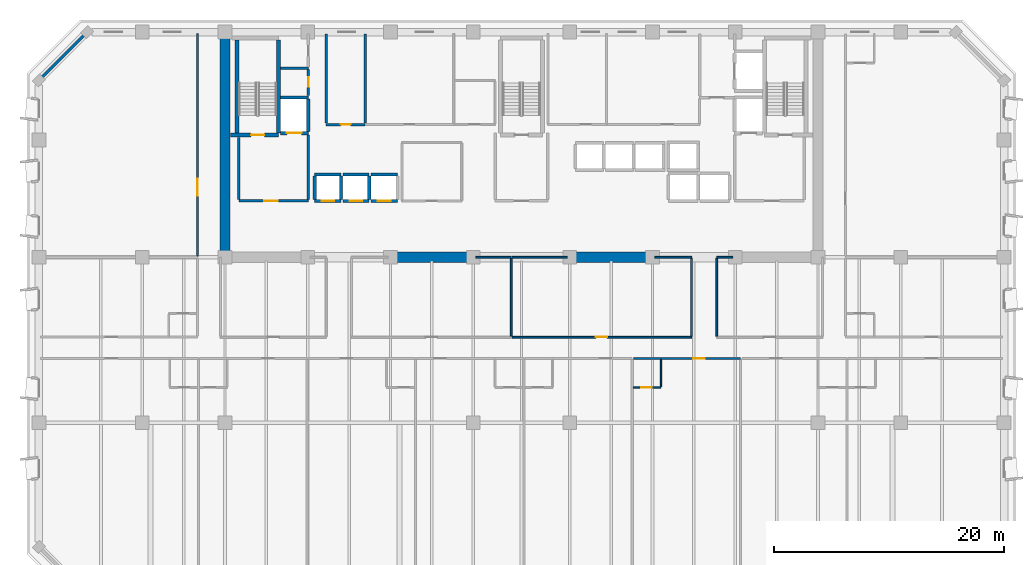
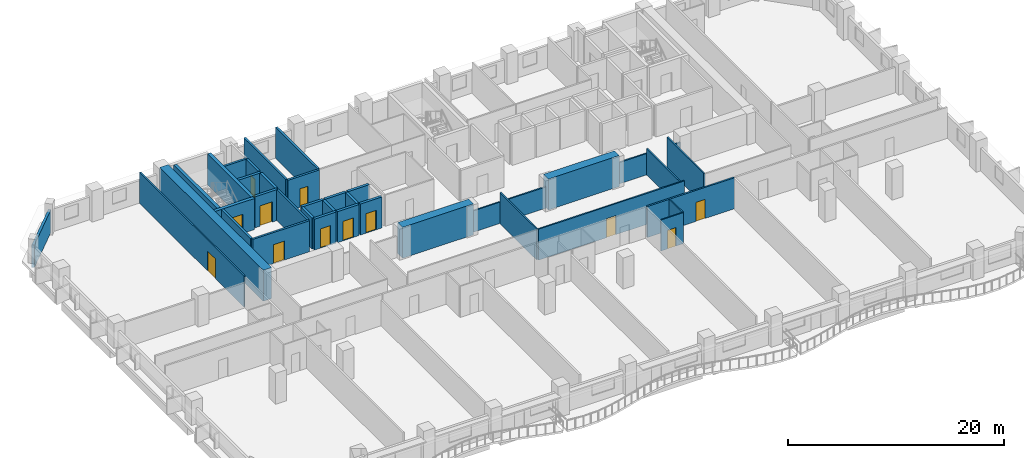
# One storey, part 6 of 14: 39 walls, 12 doors, 12 openings.
"""IFC4 building model written with IfcOpenShell, lengths in metres."""

from ifc_helpers import new_model, si_unit, direction, frame, frame_2d, origin, place, context, subcontext, project, spatial, rectangle, extrude, material, layer, layer_set, type_object, element, fill, save


model = new_model("IFC4")

# Units and contexts
model_context = context("Model", 3, precision=1e-05, world=origin(), true_north=direction((0.0, 1.0)))
body_context = subcontext(model_context, "Body", "Model", "MODEL_VIEW")
ifc_project = project(units=[si_unit("LENGTHUNIT", "METRE"), si_unit("AREAUNIT", "SQUARE_METRE"), si_unit("VOLUMEUNIT", "CUBIC_METRE"), si_unit("PLANEANGLEUNIT", "RADIAN"), si_unit("MASSUNIT", "GRAM", prefix="KILO")], contexts=[model_context])

# Site, building, storey
site_placement = place(None, origin())
site = spatial("IfcSite", under=ifc_project, at=site_placement, CompositionType="ELEMENT")
building_placement = place(site_placement, origin())
building = spatial("IfcBuilding", under=site, at=building_placement, Name="Kaelvorn Grand Hotel", CompositionType="ELEMENT")
storey_placement = place(building_placement, frame((0.0, 0.0, 89.300048828125)))
storey = spatial("IfcBuildingStorey", under=building, at=storey_placement, Name="L20", CompositionType="ELEMENT", Elevation=89.300048828125)

# Walls
ifc_material_1 = material(Name="Concrete C60/75", Category="concrete")
ifc_layer_1 = layer(ifc_material_1, 0.89990234375)
ifc_layer_set_1 = layer_set([ifc_layer_1], Name="Concrete C60/75")
wall_type_1 = type_object("IfcWallType", Name="WL-CORE-900-C60", PredefinedType="SHEAR", material=ifc_layer_set_1)
wall_1_placement = place(storey_placement, frame((16.199951171875, 29.39990234375, 0.0), z_axis=(0.0, 0.0, 1.0), x_axis=(0.0, 1.0, 0.0)))
element("IfcWall", 1, at=wall_1_placement, inside=storey, type_object=wall_type_1, Name="L20 Rear-Core West Shear Wall", PredefinedType="SHEAR", context=body_context, shape_type="SweptSolid", body=[
    extrude(rectangle(XDim=19.2001953125, YDim=0.89990234375, at=frame_2d((9.60009765625, 0.0))), origin(), (0.0, 0.0, 1.0), 3.510009765625),
])
for number, where, z_axis, x_axis, name in (
    (2, (30.39990234375, 29.39990234375, 0.0), (0.0, 0.0, 1.0), (1.0, 0.0, 0.0), "L20 Rear-Core Coupled Shear Pier S2"),
    (3, (46.0, 29.39990234375, 0.0), (0.0, 0.0, 1.0), (1.0, 0.0, 0.0), "L20 Rear-Core Coupled Shear Pier S3"),
):
    element("IfcWall", number, at=place(storey_placement, frame(where, z_axis=z_axis, x_axis=x_axis)), inside=storey, type_object=wall_type_1, Name=name, PredefinedType="SHEAR", context=body_context, shape_type="SweptSolid", body=[
        extrude(rectangle(XDim=7.60009765625, YDim=0.89990234375, at=frame_2d((3.800048828125, 0.0))), origin(), (0.0, 0.0, 1.0), 3.510009765625),
    ])
ifc_material_2 = material(Name="Concrete C40/50", Category="concrete")
ifc_layer_2 = layer(ifc_material_2, 0.260009765625)
ifc_layer_set_2 = layer_set([ifc_layer_2], Name="Concrete C40/50")
wall_type_2 = type_object("IfcWallType", Name="WL-EXT-260-C40", PredefinedType="SOLIDWALL", material=ifc_layer_set_2)
wall_2_placement = place(storey_placement, frame((4.199951171875, 49.0, 0.0), z_axis=(0.0, 0.0, 1.0), x_axis=(-0.707106781187, -0.707106781187, 0.0)))
element("IfcWall", 4, at=wall_2_placement, inside=storey, type_object=wall_type_2, Name="L20 Exterior Architectural Concrete Wall 06", PredefinedType="SOLIDWALL", context=body_context, shape_type="SweptSolid", body=[
    extrude(rectangle(XDim=5.939697265625, YDim=0.260009765625, at=frame_2d((2.9697265625, 0.0))), origin(), (0.0, 0.0, 1.0), 2.56005859375),
])

# Wall, opening, door
ifc_material_3 = material(Name="Moisture-Resistant Tile & Stud Board")
ifc_layer_3 = layer(ifc_material_3, 0.125)
ifc_layer_set_3 = layer_set([ifc_layer_3], Name="Moisture-Resistant Tile & Stud Board")
wall_type_3 = type_object("IfcWallType", Name="WL-PART-125-WET", PredefinedType="PARTITIONING", material=ifc_layer_set_3)
wall_3_placement = place(storey_placement, frame((51.7333984375, 18.050048828125, 0.0), z_axis=(0.0, 0.0, 1.0), x_axis=(1.0, 0.0, 0.0)))
wall_3 = element("IfcWall", 5, at=wall_3_placement, inside=storey, type_object=wall_type_3, Name="L20 En-suite Bathroom L20-06 S Partition", PredefinedType="PARTITIONING", context=body_context, shape_type="SweptSolid", body=[
    extrude(rectangle(XDim=2.405029296875, YDim=0.125, at=frame_2d((1.20263671875, 0.0))), origin(), (0.0, 0.0, 1.0), 3.510009765625),
])
opening_1_placement = place(wall_3_placement, frame((0.705078125, 0.0, 0.0)))
opening_1 = element("IfcOpeningElement", 6, at=opening_1_placement, cuts=wall_3, Name="Opening DI4", PredefinedType="OPENING", context=body_context, shape_type="SweptSolid", body=[
    extrude(rectangle(XDim=0.89990234375, YDim=2.10009765625, at=frame_2d((0.449951171875, 1.050048828125))), frame((0.0, 0.072509765625, 0.0), z_axis=(0.0, -1.0, 0.0), x_axis=(1.0, 0.0, 0.0)), (0.0, 0.0, 1.0), 0.14501953125),
])
ifc_material_4 = material(Name="Timber Veneer Leaf", Category="wood")
door_type_1 = type_object("IfcDoorType", Name="DR-INT-BATH-900x2100", OperationType="NOTDEFINED", PredefinedType="DOOR", material=ifc_material_4)
door_1_placement = place(opening_1_placement, origin())
door_1 = element("IfcDoor", 7, at=door_1_placement, inside=storey, type_object=door_type_1, Name="L20 En-suite Bathroom L20-06 Door", OperationType="SINGLE_SWING_RIGHT", OverallHeight=2.10009765625, OverallWidth=0.89990234375, PredefinedType="DOOR", context=body_context, shape_type="SweptSolid", body=[
    extrude(rectangle(XDim=0.89990234375, YDim=2.10009765625, at=frame_2d((0.449951171875, 1.050048828125))), frame((0.0, 0.02490234375, 0.0), z_axis=(0.0, -1.0, 0.0), x_axis=(1.0, 0.0, 0.0)), (0.0, 0.0, 1.0), 0.050048828125),
])
fill(opening_1, door_1)

# Walls
wall_4_placement = place(storey_placement, frame((54.138427734375, 18.117431640625, 0.0), z_axis=(0.0, 0.0, 1.0), x_axis=(0.0, 1.0, 0.0)))
element("IfcWall", 8, at=wall_4_placement, inside=storey, type_object=wall_type_3, Name="L20 En-suite Bathroom L20-06 E Partition", PredefinedType="PARTITIONING", context=body_context, shape_type="SweptSolid", body=[
    extrude(rectangle(XDim=2.387451171875, YDim=0.125, at=frame_2d((1.19384765625, 0.0))), origin(), (0.0, 0.0, 1.0), 3.510009765625),
])
ifc_material_5 = material(Name="Acoustic Gypsum & Stud Partition")
ifc_layer_4 = layer(ifc_material_5, 0.14990234375)
ifc_layer_set_4 = layer_set([ifc_layer_4], Name="Acoustic Gypsum & Stud Partition")
wall_type_4 = type_object("IfcWallType", Name="WL-PART-150-EI60", PredefinedType="PARTITIONING", material=ifc_layer_set_4)
wall_5_placement = place(storey_placement, frame((38.010009765625, 29.39990234375, 0.0), z_axis=(0.0, 0.0, 1.0), x_axis=(1.0, 0.0, 0.0)))
element("IfcWall", 9, at=wall_5_placement, inside=storey, type_object=wall_type_4, Name="L20 Pastry & Tea Kitchen N Partition (2)", PredefinedType="PARTITIONING", context=body_context, shape_type="SweptSolid", body=[
    extrude(rectangle(XDim=3.090087890625, YDim=0.14990234375, at=frame_2d((1.544921875, 0.0))), origin(), (0.0, 0.0, 1.0), 2.409912109375),
])
wall_6_placement = place(storey_placement, frame((41.10009765625, 22.530029296875, 0.0), z_axis=(0.0, 0.0, 1.0), x_axis=(0.0, 1.0, 0.0)))
element("IfcWall", 10, at=wall_6_placement, inside=storey, type_object=wall_type_4, Name="L20 Pastry & Tea Kitchen E Partition", PredefinedType="PARTITIONING", context=body_context, shape_type="SweptSolid", body=[
    extrude(rectangle(XDim=6.7900390625, YDim=0.14990234375, at=frame_2d((3.39501953125, 0.0))), origin(), (0.0, 0.0, 1.0), 3.510009765625),
])

# Wall, opening, door
wall_7_placement = place(storey_placement, frame((41.179931640625, 22.449951171875, 0.0), z_axis=(0.0, 0.0, 1.0), x_axis=(1.0, 0.0, 0.0)))
wall_7 = element("IfcWall", 11, at=wall_7_placement, inside=storey, type_object=wall_type_4, Name="L20 Family Sitting Room S Partition", PredefinedType="PARTITIONING", context=body_context, shape_type="SweptSolid", body=[
    extrude(rectangle(XDim=15.6201171875, YDim=0.14990234375, at=frame_2d((7.81005859375, 0.0))), origin(), (0.0, 0.0, 1.0), 3.510009765625),
])
opening_2_placement = place(wall_7_placement, frame((7.27001953125, 0.0, 0.0)))
opening_2 = element("IfcOpeningElement", 12, at=opening_2_placement, cuts=wall_7, Name="Opening DI3", PredefinedType="OPENING", context=body_context, shape_type="SweptSolid", body=[
    extrude(rectangle(XDim=1.0, YDim=2.14990234375, at=frame_2d((0.5, 1.074951171875))), frame((0.0, 0.0849609375, 0.0), z_axis=(0.0, -1.0, 0.0), x_axis=(1.0, 0.0, 0.0)), (0.0, 0.0, 1.0), 0.169921875),
])
ifc_material_6 = material(Name="Timber Veneer Fire Leaf", Category="wood")
door_type_2 = type_object("IfcDoorType", Name="DR-INT-GUEST-1000x2150", OperationType="NOTDEFINED", PredefinedType="DOOR", material=ifc_material_6)
door_2_placement = place(opening_2_placement, origin())
door_2 = element("IfcDoor", 13, at=door_2_placement, inside=storey, type_object=door_type_2, Name="L20 Family Sitting Room Door", OperationType="SINGLE_SWING_LEFT", OverallHeight=2.14990234375, OverallWidth=1.0, PredefinedType="DOOR", context=body_context, shape_type="SweptSolid", body=[
    extrude(rectangle(XDim=1.0, YDim=2.14990234375, at=frame_2d((0.5, 1.074951171875))), frame((0.0, 0.02490234375, 0.0), z_axis=(0.0, -1.0, 0.0), x_axis=(1.0, 0.0, 0.0)), (0.0, 0.0, 1.0), 0.050048828125),
])
fill(opening_2, door_2)

# Walls
wall_8_placement = place(storey_placement, frame((41.179931640625, 29.39990234375, 0.0), z_axis=(0.0, 0.0, 1.0), x_axis=(1.0, 0.0, 0.0)))
element("IfcWall", 14, at=wall_8_placement, inside=storey, type_object=wall_type_4, Name="L20 Family Sitting Room N Partition (1)", PredefinedType="PARTITIONING", context=body_context, shape_type="SweptSolid", body=[
    extrude(rectangle(XDim=4.81005859375, YDim=0.14990234375, at=frame_2d((2.405029296875, 0.0))), origin(), (0.0, 0.0, 1.0), 2.409912109375),
])
wall_9_placement = place(storey_placement, frame((53.610107421875, 29.39990234375, 0.0), z_axis=(0.0, 0.0, 1.0), x_axis=(1.0, 0.0, 0.0)))
element("IfcWall", 15, at=wall_9_placement, inside=storey, type_object=wall_type_4, Name="L20 Family Sitting Room N Partition (2)", PredefinedType="PARTITIONING", context=body_context, shape_type="SweptSolid", body=[
    extrude(rectangle(XDim=3.18994140625, YDim=0.14990234375, at=frame_2d((1.594970703125, 0.0))), origin(), (0.0, 0.0, 1.0), 2.409912109375),
])
wall_10_placement = place(storey_placement, frame((56.800048828125, 22.530029296875, 0.0), z_axis=(0.0, 0.0, 1.0), x_axis=(0.0, 1.0, 0.0)))
element("IfcWall", 16, at=wall_10_placement, inside=storey, type_object=wall_type_4, Name="L20 Family Sitting Room E Partition", PredefinedType="PARTITIONING", context=body_context, shape_type="SweptSolid", body=[
    extrude(rectangle(XDim=6.7900390625, YDim=0.14990234375, at=frame_2d((3.39501953125, 0.0))), origin(), (0.0, 0.0, 1.0), 2.976806640625),
])
wall_11_placement = place(storey_placement, frame((59.0, 29.39990234375, 0.0), z_axis=(0.0, 0.0, 1.0), x_axis=(1.0, 0.0, 0.0)))
element("IfcWall", 17, at=wall_11_placement, inside=storey, type_object=wall_type_4, Name="L20 VIP Dining Restaurant N Partition", PredefinedType="PARTITIONING", context=body_context, shape_type="SweptSolid", body=[
    extrude(rectangle(XDim=1.389892578125, YDim=0.14990234375, at=frame_2d((0.69482421875, 0.0))), origin(), (0.0, 0.0, 1.0), 2.409912109375),
])
wall_12_placement = place(storey_placement, frame((59.0, 22.530029296875, 0.0), z_axis=(0.0, 0.0, 1.0), x_axis=(0.0, 1.0, 0.0)))
element("IfcWall", 18, at=wall_12_placement, inside=storey, type_object=wall_type_4, Name="L20 VIP Dining Restaurant W Partition", PredefinedType="PARTITIONING", context=body_context, shape_type="SweptSolid", body=[
    extrude(rectangle(XDim=6.7900390625, YDim=0.14990234375, at=frame_2d((3.39501953125, 0.0))), origin(), (0.0, 0.0, 1.0), 3.510009765625),
])

# Wall, opening, door
wall_13_placement = place(storey_placement, frame((13.800048828125, 29.4951171875, 0.0), z_axis=(0.0, 0.0, 1.0), x_axis=(0.0, 1.0, 0.0)))
wall_13 = element("IfcWall", 19, at=wall_13_placement, inside=storey, type_object=wall_type_4, Name="L20 North-West Family Sitting Room E Partition", PredefinedType="PARTITIONING", context=body_context, shape_type="SweptSolid", body=[
    extrude(rectangle(XDim=19.35498046875, YDim=0.14990234375, at=frame_2d((9.677490234375, 0.0))), origin(), (0.0, 0.0, 1.0), 3.510009765625),
])
opening_3_placement = place(wall_13_placement, frame((5.2548828125, 0.0, 0.0)))
opening_3 = element("IfcOpeningElement", 20, at=opening_3_placement, cuts=wall_13, Name="Opening DI5", PredefinedType="OPENING", context=body_context, shape_type="SweptSolid", body=[
    extrude(rectangle(XDim=1.5, YDim=2.25, at=frame_2d((0.75, 1.125))), frame((0.0, 0.0849609375, 0.0), z_axis=(0.0, -1.0, 0.0), x_axis=(1.0, 0.0, 0.0)), (0.0, 0.0, 1.0), 0.169921875),
])
door_type_3 = type_object("IfcDoorType", Name="DR-INT-SALON-1500x2250", OperationType="DOUBLE_DOOR_SINGLE_SWING", PredefinedType="DOOR", material=ifc_material_6)
door_3_placement = place(opening_3_placement, origin())
door_3 = element("IfcDoor", 21, at=door_3_placement, inside=storey, type_object=door_type_3, Name="L20 North-West Family Sitting Room Door", OperationType="DOUBLE_DOOR_SINGLE_SWING", OverallHeight=2.25, OverallWidth=1.5, PredefinedType="DOOR", context=body_context, shape_type="SweptSolid", body=[
    extrude(rectangle(XDim=1.5, YDim=2.25, at=frame_2d((0.75, 1.125))), frame((0.0, 0.02490234375, 0.0), z_axis=(0.0, -1.0, 0.0), x_axis=(1.0, 0.0, 0.0)), (0.0, 0.0, 1.0), 0.050048828125),
])
fill(opening_3, door_3)

ifc_layer_5 = layer(ifc_material_5, 0.179931640625)
ifc_layer_set_5 = layer_set([ifc_layer_5], Name="Acoustic Gypsum & Stud Partition")
wall_type_5 = type_object("IfcWallType", Name="WL-PART-180-EI60", PredefinedType="PARTITIONING", material=ifc_layer_set_5)
wall_14_placement = place(storey_placement, frame((51.7333984375, 20.60009765625, 0.0), z_axis=(0.0, 0.0, 1.0), x_axis=(1.0, 0.0, 0.0)))
wall_14 = element("IfcWall", 22, at=wall_14_placement, inside=storey, type_object=wall_type_5, Name="L20 Deluxe Panoramic Suite L20-06 N Partition", PredefinedType="PARTITIONING", context=body_context, shape_type="SweptSolid", body=[
    extrude(rectangle(XDim=9.3427734375, YDim=0.179931640625, at=frame_2d((4.67138671875, 0.0))), origin(), (0.0, 0.0, 1.0), 3.510009765625),
])
opening_4_placement = place(wall_14_placement, frame((5.19580078125, 0.0, 0.0)))
opening_4 = element("IfcOpeningElement", 23, at=opening_4_placement, cuts=wall_14, Name="Opening DI3", PredefinedType="OPENING", context=body_context, shape_type="SweptSolid", body=[
    extrude(rectangle(XDim=1.0, YDim=2.14990234375, at=frame_2d((0.5, 1.074951171875))), frame((0.0, 0.10009765625, 0.0), z_axis=(0.0, -1.0, 0.0), x_axis=(1.0, 0.0, 0.0)), (0.0, 0.0, 1.0), 0.199951171875),
])
door_4_placement = place(opening_4_placement, origin())
door_4 = element("IfcDoor", 24, at=door_4_placement, inside=storey, type_object=door_type_2, Name="L20 Deluxe Panoramic Suite L20-06 Door", OperationType="SINGLE_SWING_LEFT", OverallHeight=2.14990234375, OverallWidth=1.0, PredefinedType="DOOR", context=body_context, shape_type="SweptSolid", body=[
    extrude(rectangle(XDim=1.0, YDim=2.14990234375, at=frame_2d((0.5, 1.074951171875))), frame((0.0, 0.02490234375, 0.0), z_axis=(0.0, -1.0, 0.0), x_axis=(1.0, 0.0, 0.0)), (0.0, 0.0, 1.0), 0.050048828125),
])
fill(opening_4, door_4)

ifc_layer_6 = layer(ifc_material_2, 0.219970703125)
ifc_layer_set_6 = layer_set([ifc_layer_6], Name="Concrete C40/50")
wall_type_6 = type_object("IfcWallType", Name="WL-PART-220-EI120", PredefinedType="PARTITIONING", material=ifc_layer_set_6)
wall_15_placement = place(storey_placement, frame((17.39990234375, 34.300048828125, 0.0), z_axis=(0.0, 0.0, 1.0), x_axis=(1.0, 0.0, 0.0)))
wall_15 = element("IfcWall", 25, at=wall_15_placement, inside=storey, type_object=wall_type_6, Name="L20 Firefighting Lift Lobby 1 S Partition", PredefinedType="PARTITIONING", context=body_context, shape_type="SweptSolid", body=[
    extrude(rectangle(XDim=6.050048828125, YDim=0.219970703125, at=frame_2d((3.02490234375, 0.0))), origin(), (0.0, 0.0, 1.0), 3.510009765625),
])
opening_5_placement = place(wall_15_placement, frame((2.199951171875, 0.0, 0.0)))
opening_5 = element("IfcOpeningElement", 26, at=opening_5_placement, cuts=wall_15, Name="Opening DI2", PredefinedType="OPENING", context=body_context, shape_type="SweptSolid", body=[
    extrude(rectangle(XDim=1.199951171875, YDim=2.14990234375, at=frame_2d((0.60009765625, 1.074951171875))), frame((0.0, 0.1201171875, 0.0), z_axis=(0.0, -1.0, 0.0), x_axis=(1.0, 0.0, 0.0)), (0.0, 0.0, 1.0), 0.239990234375),
])
door_type_4 = type_object("IfcDoorType", Name="DR-INT-FFLOB-1200x2150", OperationType="NOTDEFINED", PredefinedType="DOOR", material=ifc_material_6)
door_5_placement = place(opening_5_placement, origin())
door_5 = element("IfcDoor", 27, at=door_5_placement, inside=storey, type_object=door_type_4, Name="L20 Firefighting Lift Lobby 1 Door", OperationType="SINGLE_SWING_LEFT", OverallHeight=2.14990234375, OverallWidth=1.199951171875, PredefinedType="DOOR", context=body_context, shape_type="SweptSolid", body=[
    extrude(rectangle(XDim=1.199951171875, YDim=2.14990234375, at=frame_2d((0.60009765625, 1.074951171875))), frame((0.0, 0.02490234375, 0.0), z_axis=(0.0, -1.0, 0.0), x_axis=(1.0, 0.0, 0.0)), (0.0, 0.0, 1.0), 0.050048828125),
])
fill(opening_5, door_5)

# Walls
wall_16_placement = place(storey_placement, frame((17.39990234375, 34.4150390625, 0.0), z_axis=(0.0, 0.0, 1.0), x_axis=(0.0, 1.0, 0.0)))
element("IfcWall", 28, at=wall_16_placement, inside=storey, type_object=wall_type_6, Name="L20 Firefighting Lift Lobby 1 W Partition", PredefinedType="PARTITIONING", context=body_context, shape_type="SweptSolid", body=[
    extrude(rectangle(XDim=5.429931640625, YDim=0.219970703125, at=frame_2d((2.71484375, 0.0))), origin(), (0.0, 0.0, 1.0), 3.510009765625),
])
wall_17_placement = place(storey_placement, frame((23.449951171875, 34.4150390625, 0.0), z_axis=(0.0, 0.0, 1.0), x_axis=(0.0, 1.0, 0.0)))
element("IfcWall", 29, at=wall_17_placement, inside=storey, type_object=wall_type_6, Name="L20 Firefighting Lift Lobby 1 E Partition", PredefinedType="PARTITIONING", context=body_context, shape_type="SweptSolid", body=[
    extrude(rectangle(XDim=5.639892578125, YDim=0.219970703125, at=frame_2d((2.81982421875, 0.0))), origin(), (0.0, 0.0, 1.0), 3.510009765625),
])
wall_18_placement = place(storey_placement, frame((21.034912109375, 45.85009765625, 0.0), z_axis=(0.0, 0.0, 1.0), x_axis=(1.0, 0.0, 0.0)))
element("IfcWall", 30, at=wall_18_placement, inside=storey, type_object=wall_type_6, Name="L20 Wet Fire & Plumbing Riser Shaft N Partition", PredefinedType="PARTITIONING", context=body_context, shape_type="SweptSolid", body=[
    extrude(rectangle(XDim=2.4150390625, YDim=0.219970703125, at=frame_2d((1.20751953125, 0.0))), origin(), (0.0, 0.0, 1.0), 3.510009765625),
])

# Wall, opening, door
wall_19_placement = place(storey_placement, frame((23.449951171875, 43.5, 0.0), z_axis=(0.0, 0.0, 1.0), x_axis=(0.0, 1.0, 0.0)))
wall_19 = element("IfcWall", 31, at=wall_19_placement, inside=storey, type_object=wall_type_6, Name="L20 Wet Fire & Plumbing Riser Shaft E Partition", PredefinedType="PARTITIONING", context=body_context, shape_type="SweptSolid", body=[
    extrude(rectangle(XDim=2.235107421875, YDim=0.219970703125, at=frame_2d((1.11767578125, 0.0))), origin(), (0.0, 0.0, 1.0), 3.510009765625),
])
opening_6_placement = place(wall_19_placement, frame((0.72509765625, 0.0, 0.0)))
opening_6 = element("IfcOpeningElement", 32, at=opening_6_placement, cuts=wall_19, Name="Opening DI7", PredefinedType="OPENING", context=body_context, shape_type="SweptSolid", body=[
    extrude(rectangle(XDim=0.85009765625, YDim=2.10009765625, at=frame_2d((0.425048828125, 1.050048828125))), frame((0.0, 0.1201171875, 0.0), z_axis=(0.0, -1.0, 0.0), x_axis=(1.0, 0.0, 0.0)), (0.0, 0.0, 1.0), 0.239990234375),
])
ifc_material_7 = material(Name="Powder-Coated Steel Leaf", Category="steel")
door_type_5 = type_object("IfcDoorType", Name="DR-INT-RISER-850x2100", OperationType="NOTDEFINED", PredefinedType="DOOR", material=ifc_material_7)
door_6_placement = place(opening_6_placement, origin())
door_6 = element("IfcDoor", 33, at=door_6_placement, inside=storey, type_object=door_type_5, Name="L20 Wet Fire & Plumbing Riser Shaft Door", OperationType="SINGLE_SWING_LEFT", OverallHeight=2.10009765625, OverallWidth=0.85009765625, PredefinedType="DOOR", context=body_context, shape_type="SweptSolid", body=[
    extrude(rectangle(XDim=0.85009765625, YDim=2.10009765625, at=frame_2d((0.425048828125, 1.050048828125))), frame((0.0, 0.02490234375, 0.0), z_axis=(0.0, -1.0, 0.0), x_axis=(1.0, 0.0, 0.0)), (0.0, 0.0, 1.0), 0.050048828125),
])
fill(opening_6, door_6)

wall_20_placement = place(storey_placement, frame((25.0, 40.949951171875, 0.0), z_axis=(0.0, 0.0, 1.0), x_axis=(1.0, 0.0, 0.0)))
wall_20 = element("IfcWall", 34, at=wall_20_placement, inside=storey, type_object=wall_type_6, Name="L20 Electrical Distribution Room S Partition", PredefinedType="PARTITIONING", context=body_context, shape_type="SweptSolid", body=[
    extrude(rectangle(XDim=3.39990234375, YDim=0.219970703125, at=frame_2d((1.699951171875, 0.0))), origin(), (0.0, 0.0, 1.0), 3.510009765625),
])
opening_7_placement = place(wall_20_placement, frame((1.27490234375, 0.0, 0.0)))
opening_7 = element("IfcOpeningElement", 35, at=opening_7_placement, cuts=wall_20, Name="Opening DI7", PredefinedType="OPENING", context=body_context, shape_type="SweptSolid", body=[
    extrude(rectangle(XDim=0.85009765625, YDim=2.10009765625, at=frame_2d((0.425048828125, 1.050048828125))), frame((0.0, 0.1201171875, 0.0), z_axis=(0.0, -1.0, 0.0), x_axis=(1.0, 0.0, 0.0)), (0.0, 0.0, 1.0), 0.239990234375),
])
door_7_placement = place(opening_7_placement, origin())
door_7 = element("IfcDoor", 36, at=door_7_placement, inside=storey, type_object=door_type_5, Name="L20 Electrical Distribution Room Door", OperationType="SINGLE_SWING_RIGHT", OverallHeight=2.10009765625, OverallWidth=0.85009765625, PredefinedType="DOOR", context=body_context, shape_type="SweptSolid", body=[
    extrude(rectangle(XDim=0.85009765625, YDim=2.10009765625, at=frame_2d((0.425048828125, 1.050048828125))), frame((0.0, 0.02490234375, 0.0), z_axis=(0.0, -1.0, 0.0), x_axis=(1.0, 0.0, 0.0)), (0.0, 0.0, 1.0), 0.050048828125),
])
fill(opening_7, door_7)

# Walls
for number, where, z_axis, x_axis, name in (
    (37, (25.0, 41.06494140625, 0.0), (0.0, 0.0, 1.0), (0.0, 1.0, 0.0), "L20 Electrical Distribution Room W Partition"),
    (38, (28.39990234375, 41.06494140625, 0.0), (0.0, 0.0, 1.0), (0.0, 1.0, 0.0), "L20 Electrical Distribution Room E Partition"),
):
    element("IfcWall", number, at=place(storey_placement, frame(where, z_axis=z_axis, x_axis=x_axis)), inside=storey, type_object=wall_type_6, Name=name, PredefinedType="PARTITIONING", context=body_context, shape_type="SweptSolid", body=[
        extrude(rectangle(XDim=7.78515625, YDim=0.219970703125, at=frame_2d((3.892578125, 0.0))), origin(), (0.0, 0.0, 1.0), 3.510009765625),
    ])

# Wall, opening, door
ifc_material_8 = material(Name="Concrete C50/60", Category="concrete")
ifc_layer_7 = layer(ifc_material_8, 0.280029296875)
ifc_layer_set_7 = layer_set([ifc_layer_7], Name="Concrete C50/60")
wall_type_7 = type_object("IfcWallType", Name="WL-SHAFT-280-C50", PredefinedType="SHEAR", material=ifc_layer_set_7)
wall_21_placement = place(storey_placement, frame((24.0, 34.300048828125, 0.0), z_axis=(0.0, 0.0, 1.0), x_axis=(1.0, 0.0, 0.0)))
wall_21 = element("IfcWall", 39, at=wall_21_placement, inside=storey, type_object=wall_type_7, Name="L20 Lift PL-L1 Shaft South Wall", PredefinedType="SHEAR", context=body_context, shape_type="SweptSolid", body=[
    extrude(rectangle(XDim=2.300048828125, YDim=0.280029296875, at=frame_2d((1.14990234375, 0.0))), origin(), (0.0, 0.0, 1.0), 3.510009765625),
])
opening_8_placement = place(wall_21_placement, frame((0.60009765625, 0.0, 0.0)))
opening_8 = element("IfcOpeningElement", 40, at=opening_8_placement, cuts=wall_21, Name="Opening LD-PL-L1", PredefinedType="OPENING", context=body_context, shape_type="SweptSolid", body=[
    extrude(rectangle(XDim=1.10009765625, YDim=2.199951171875, at=frame_2d((0.550048828125, 1.10009765625))), frame((0.0, 0.14990234375, 0.0), z_axis=(0.0, -1.0, 0.0), x_axis=(1.0, 0.0, 0.0)), (0.0, 0.0, 1.0), 0.300048828125),
])
ifc_material_9 = material(Name="Stainless Steel", Category="steel")
door_type_6 = type_object("IfcDoorType", Name="DR-LIFT-PASS-1100x2200", OperationType="DOUBLE_DOOR_SLIDING", PredefinedType="DOOR", material=ifc_material_9)
door_8_placement = place(opening_8_placement, origin())
door_8 = element("IfcDoor", 41, at=door_8_placement, inside=storey, type_object=door_type_6, Name="L20 Lift PL-L1 Sliding Landing Door LD-PL-L1", OperationType="DOUBLE_DOOR_SLIDING", OverallHeight=2.199951171875, OverallWidth=1.10009765625, PredefinedType="DOOR", context=body_context, shape_type="SweptSolid", body=[
    extrude(rectangle(XDim=1.10009765625, YDim=2.199951171875, at=frame_2d((0.550048828125, 1.10009765625))), frame((0.0, 0.02490234375, 0.0), z_axis=(0.0, -1.0, 0.0), x_axis=(1.0, 0.0, 0.0)), (0.0, 0.0, 1.0), 0.050048828125),
])
fill(opening_8, door_8)

# Walls
wall_22_placement = place(storey_placement, frame((24.0, 36.60009765625, 0.0), z_axis=(0.0, 0.0, 1.0), x_axis=(1.0, 0.0, 0.0)))
element("IfcWall", 42, at=wall_22_placement, inside=storey, type_object=wall_type_7, Name="L20 Lift PL-L1 Shaft North Wall", PredefinedType="SHEAR", context=body_context, shape_type="SweptSolid", body=[
    extrude(rectangle(XDim=2.300048828125, YDim=0.280029296875, at=frame_2d((1.14990234375, 0.0))), origin(), (0.0, 0.0, 1.0), 3.510009765625),
])
for number, where, z_axis, x_axis, name in (
    (43, (24.0, 34.445068359375, 0.0), (0.0, 0.0, 1.0), (0.0, 1.0, 0.0), "L20 Lift PL-L1 Shaft West Wall"),
    (44, (26.300048828125, 34.445068359375, 0.0), (0.0, 0.0, 1.0), (0.0, 1.0, 0.0), "L20 Lift PL-L1 Shaft East Wall"),
):
    element("IfcWall", number, at=place(storey_placement, frame(where, z_axis=z_axis, x_axis=x_axis)), inside=storey, type_object=wall_type_7, Name=name, PredefinedType="SHEAR", context=body_context, shape_type="SweptSolid", body=[
        extrude(rectangle(XDim=2.010009765625, YDim=0.280029296875, at=frame_2d((1.0048828125, 0.0))), origin(), (0.0, 0.0, 1.0), 3.510009765625),
    ])

# Wall, opening, door
wall_23_placement = place(storey_placement, frame((26.449951171875, 34.300048828125, 0.0), z_axis=(0.0, 0.0, 1.0), x_axis=(1.0, 0.0, 0.0)))
wall_23 = element("IfcWall", 45, at=wall_23_placement, inside=storey, type_object=wall_type_7, Name="L20 Lift PL-L2 Shaft South Wall", PredefinedType="SHEAR", context=body_context, shape_type="SweptSolid", body=[
    extrude(rectangle(XDim=2.300048828125, YDim=0.280029296875, at=frame_2d((1.14990234375, 0.0))), origin(), (0.0, 0.0, 1.0), 3.510009765625),
])
opening_9_placement = place(wall_23_placement, frame((0.60009765625, 0.0, 0.0)))
opening_9 = element("IfcOpeningElement", 46, at=opening_9_placement, cuts=wall_23, Name="Opening LD-PL-L2", PredefinedType="OPENING", context=body_context, shape_type="SweptSolid", body=[
    extrude(rectangle(XDim=1.10009765625, YDim=2.199951171875, at=frame_2d((0.550048828125, 1.10009765625))), frame((0.0, 0.14990234375, 0.0), z_axis=(0.0, -1.0, 0.0), x_axis=(1.0, 0.0, 0.0)), (0.0, 0.0, 1.0), 0.300048828125),
])
door_9_placement = place(opening_9_placement, origin())
door_9 = element("IfcDoor", 47, at=door_9_placement, inside=storey, type_object=door_type_6, Name="L20 Lift PL-L2 Sliding Landing Door LD-PL-L2", OperationType="DOUBLE_DOOR_SLIDING", OverallHeight=2.199951171875, OverallWidth=1.10009765625, PredefinedType="DOOR", context=body_context, shape_type="SweptSolid", body=[
    extrude(rectangle(XDim=1.10009765625, YDim=2.199951171875, at=frame_2d((0.550048828125, 1.10009765625))), frame((0.0, 0.02490234375, 0.0), z_axis=(0.0, -1.0, 0.0), x_axis=(1.0, 0.0, 0.0)), (0.0, 0.0, 1.0), 0.050048828125),
])
fill(opening_9, door_9)

# Walls
wall_24_placement = place(storey_placement, frame((26.449951171875, 36.60009765625, 0.0), z_axis=(0.0, 0.0, 1.0), x_axis=(1.0, 0.0, 0.0)))
element("IfcWall", 48, at=wall_24_placement, inside=storey, type_object=wall_type_7, Name="L20 Lift PL-L2 Shaft North Wall", PredefinedType="SHEAR", context=body_context, shape_type="SweptSolid", body=[
    extrude(rectangle(XDim=2.300048828125, YDim=0.280029296875, at=frame_2d((1.14990234375, 0.0))), origin(), (0.0, 0.0, 1.0), 3.510009765625),
])
wall_25_placement = place(storey_placement, frame((28.75, 34.445068359375, 0.0), z_axis=(0.0, 0.0, 1.0), x_axis=(0.0, 1.0, 0.0)))
element("IfcWall", 49, at=wall_25_placement, inside=storey, type_object=wall_type_7, Name="L20 Lift PL-L2 Shaft East Wall", PredefinedType="SHEAR", context=body_context, shape_type="SweptSolid", body=[
    extrude(rectangle(XDim=2.010009765625, YDim=0.280029296875, at=frame_2d((1.0048828125, 0.0))), origin(), (0.0, 0.0, 1.0), 3.510009765625),
])

# Wall, opening, door
wall_26_placement = place(storey_placement, frame((28.89990234375, 34.300048828125, 0.0), z_axis=(0.0, 0.0, 1.0), x_axis=(1.0, 0.0, 0.0)))
wall_26 = element("IfcWall", 50, at=wall_26_placement, inside=storey, type_object=wall_type_7, Name="L20 Lift PL-L3 Shaft South Wall", PredefinedType="SHEAR", context=body_context, shape_type="SweptSolid", body=[
    extrude(rectangle(XDim=2.300048828125, YDim=0.280029296875, at=frame_2d((1.14990234375, 0.0))), origin(), (0.0, 0.0, 1.0), 3.510009765625),
])
opening_10_placement = place(wall_26_placement, frame((0.60009765625, 0.0, 0.0)))
opening_10 = element("IfcOpeningElement", 51, at=opening_10_placement, cuts=wall_26, Name="Opening LD-PL-L3", PredefinedType="OPENING", context=body_context, shape_type="SweptSolid", body=[
    extrude(rectangle(XDim=1.10009765625, YDim=2.199951171875, at=frame_2d((0.550048828125, 1.10009765625))), frame((0.0, 0.14990234375, 0.0), z_axis=(0.0, -1.0, 0.0), x_axis=(1.0, 0.0, 0.0)), (0.0, 0.0, 1.0), 0.300048828125),
])
door_10_placement = place(opening_10_placement, origin())
door_10 = element("IfcDoor", 52, at=door_10_placement, inside=storey, type_object=door_type_6, Name="L20 Lift PL-L3 Sliding Landing Door LD-PL-L3", OperationType="DOUBLE_DOOR_SLIDING", OverallHeight=2.199951171875, OverallWidth=1.10009765625, PredefinedType="DOOR", context=body_context, shape_type="SweptSolid", body=[
    extrude(rectangle(XDim=1.10009765625, YDim=2.199951171875, at=frame_2d((0.550048828125, 1.10009765625))), frame((0.0, 0.02490234375, 0.0), z_axis=(0.0, -1.0, 0.0), x_axis=(1.0, 0.0, 0.0)), (0.0, 0.0, 1.0), 0.050048828125),
])
fill(opening_10, door_10)

# Wall
wall_27_placement = place(storey_placement, frame((28.89990234375, 36.60009765625, 0.0), z_axis=(0.0, 0.0, 1.0), x_axis=(1.0, 0.0, 0.0)))
element("IfcWall", 53, at=wall_27_placement, inside=storey, type_object=wall_type_7, Name="L20 Lift PL-L3 Shaft North Wall", PredefinedType="SHEAR", context=body_context, shape_type="SweptSolid", body=[
    extrude(rectangle(XDim=2.300048828125, YDim=0.280029296875, at=frame_2d((1.14990234375, 0.0))), origin(), (0.0, 0.0, 1.0), 3.510009765625),
])

# Wall, opening, door
wall_28_placement = place(storey_placement, frame((21.034912109375, 40.199951171875, 0.0), z_axis=(0.0, 0.0, 1.0), x_axis=(1.0, 0.0, 0.0)))
wall_28 = element("IfcWall", 54, at=wall_28_placement, inside=storey, type_object=wall_type_7, Name="L20 Lift FFL1 Shaft South Wall", PredefinedType="SHEAR", context=body_context, shape_type="SweptSolid", body=[
    extrude(rectangle(XDim=2.4150390625, YDim=0.280029296875, at=frame_2d((1.20751953125, 0.0))), origin(), (0.0, 0.0, 1.0), 3.510009765625),
])
opening_11_placement = place(wall_28_placement, frame((0.5400390625, 0.0, 0.0)))
opening_11 = element("IfcOpeningElement", 55, at=opening_11_placement, cuts=wall_28, Name="Opening LD-FFL1", PredefinedType="OPENING", context=body_context, shape_type="SweptSolid", body=[
    extrude(rectangle(XDim=1.300048828125, YDim=2.300048828125, at=frame_2d((0.64990234375, 1.14990234375))), frame((0.0, 0.14990234375, 0.0), z_axis=(0.0, -1.0, 0.0), x_axis=(1.0, 0.0, 0.0)), (0.0, 0.0, 1.0), 0.300048828125),
])
door_type_7 = type_object("IfcDoorType", Name="DR-LIFT-SERV-1300x2300", OperationType="DOUBLE_DOOR_SLIDING", PredefinedType="DOOR", material=ifc_material_9)
door_11_placement = place(opening_11_placement, origin())
door_11 = element("IfcDoor", 56, at=door_11_placement, inside=storey, type_object=door_type_7, Name="L20 Lift FFL1 Sliding Landing Door LD-FFL1", OperationType="DOUBLE_DOOR_SLIDING", OverallHeight=2.300048828125, OverallWidth=1.300048828125, PredefinedType="DOOR", context=body_context, shape_type="SweptSolid", body=[
    extrude(rectangle(XDim=1.300048828125, YDim=2.300048828125, at=frame_2d((0.64990234375, 1.14990234375))), frame((0.0, 0.02490234375, 0.0), z_axis=(0.0, -1.0, 0.0), x_axis=(1.0, 0.0, 0.0)), (0.0, 0.0, 1.0), 0.050048828125),
])
fill(opening_11, door_11)

# Walls
wall_29_placement = place(storey_placement, frame((21.034912109375, 43.300048828125, 0.0), z_axis=(0.0, 0.0, 1.0), x_axis=(1.0, 0.0, 0.0)))
element("IfcWall", 57, at=wall_29_placement, inside=storey, type_object=wall_type_7, Name="L20 Lift FFL1 Shaft North Wall", PredefinedType="SHEAR", context=body_context, shape_type="SweptSolid", body=[
    extrude(rectangle(XDim=2.4150390625, YDim=0.280029296875, at=frame_2d((1.20751953125, 0.0))), origin(), (0.0, 0.0, 1.0), 3.510009765625),
])
wall_30_placement = place(storey_placement, frame((23.449951171875, 40.344970703125, 0.0), z_axis=(0.0, 0.0, 1.0), x_axis=(0.0, 1.0, 0.0)))
element("IfcWall", 58, at=wall_30_placement, inside=storey, type_object=wall_type_7, Name="L20 Lift FFL1 Shaft East Wall", PredefinedType="SHEAR", context=body_context, shape_type="SweptSolid", body=[
    extrude(rectangle(XDim=2.81005859375, YDim=0.280029296875, at=frame_2d((1.405029296875, 0.0))), origin(), (0.0, 0.0, 1.0), 3.510009765625),
])

# Wall, opening, door
ifc_layer_8 = layer(ifc_material_1, 0.35009765625)
ifc_layer_set_8 = layer_set([ifc_layer_8], Name="Concrete C60/75")
wall_type_8 = type_object("IfcWallType", Name="WL-SHAFT-350-C60", PredefinedType="SHEAR", material=ifc_layer_set_8)
wall_31_placement = place(storey_placement, frame((16.655029296875, 40.02490234375, 0.0), z_axis=(0.0, 0.0, 1.0), x_axis=(1.0, 0.0, 0.0)))
wall_31 = element("IfcWall", 59, at=wall_31_placement, inside=storey, type_object=wall_type_8, Name="L20 ST1 Stair Shaft South Wall", PredefinedType="SHEAR", context=body_context, shape_type="SweptSolid", body=[
    extrude(rectangle(XDim=4.199951171875, YDim=0.35009765625, at=frame_2d((2.10009765625, 0.0))), origin(), (0.0, 0.0, 1.0), 3.510009765625),
])
opening_12_placement = place(wall_31_placement, frame((1.81005859375, 0.0, 0.0)))
opening_12 = element("IfcOpeningElement", 60, at=opening_12_placement, cuts=wall_31, Name="Opening DI1", PredefinedType="OPENING", context=body_context, shape_type="SweptSolid", body=[
    extrude(rectangle(XDim=1.14990234375, YDim=2.14990234375, at=frame_2d((0.574951171875, 1.074951171875))), frame((0.0, 0.18505859375, 0.0), z_axis=(0.0, -1.0, 0.0), x_axis=(1.0, 0.0, 0.0)), (0.0, 0.0, 1.0), 0.3701171875),
])
door_type_8 = type_object("IfcDoorType", Name="DR-INT-STAIR-1150x2150", OperationType="NOTDEFINED", PredefinedType="DOOR", material=ifc_material_6)
door_12_placement = place(opening_12_placement, origin())
door_12 = element("IfcDoor", 61, at=door_12_placement, inside=storey, type_object=door_type_8, Name="L20 ST1 Exit Stair Fire Door", OperationType="SINGLE_SWING_RIGHT", OverallHeight=2.14990234375, OverallWidth=1.14990234375, PredefinedType="DOOR", context=body_context, shape_type="SweptSolid", body=[
    extrude(rectangle(XDim=1.14990234375, YDim=2.14990234375, at=frame_2d((0.574951171875, 1.074951171875))), frame((0.0, 0.02490234375, 0.0), z_axis=(0.0, -1.0, 0.0), x_axis=(1.0, 0.0, 0.0)), (0.0, 0.0, 1.0), 0.050048828125),
])
fill(opening_12, door_12)

# Walls
for number, where, z_axis, x_axis, name in (
    (62, (17.22509765625, 40.205078125, 0.0), (0.0, 0.0, 1.0), (0.0, 1.0, 0.0), "L20 ST1 Stair Shaft West Wall"),
    (63, (20.85498046875, 40.205078125, 0.0), (0.0, 0.0, 1.0), (0.0, 1.0, 0.0), "L20 ST1 Stair Shaft East Wall"),
):
    element("IfcWall", number, at=place(storey_placement, frame(where, z_axis=z_axis, x_axis=x_axis)), inside=storey, type_object=wall_type_8, Name=name, PredefinedType="SHEAR", context=body_context, shape_type="SweptSolid", body=[
        extrude(rectangle(XDim=8.08984375, YDim=0.35009765625, at=frame_2d((4.044921875, 0.0))), origin(), (0.0, 0.0, 1.0), 3.510009765625),
    ])

save(model, "model.ifc")
